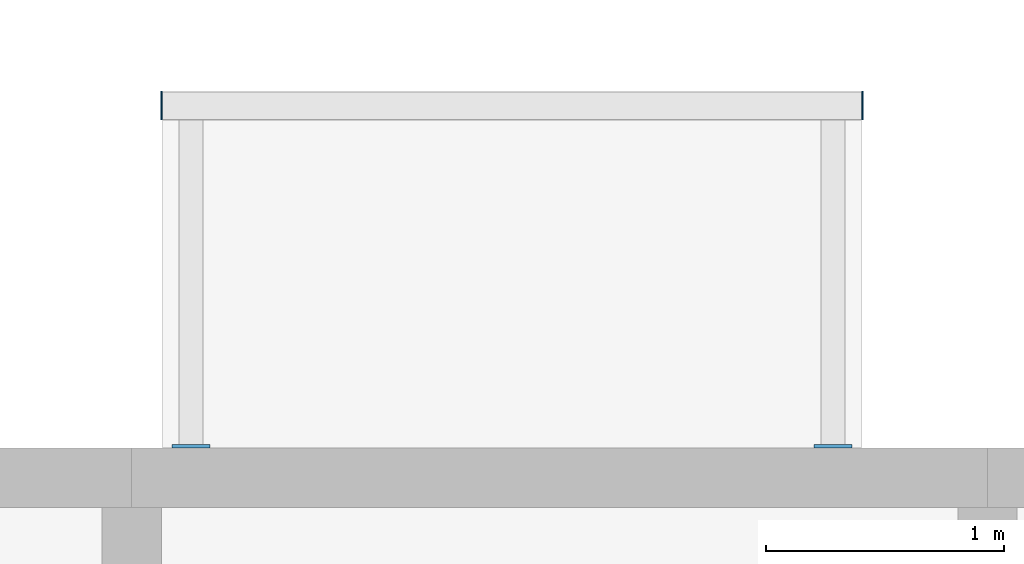
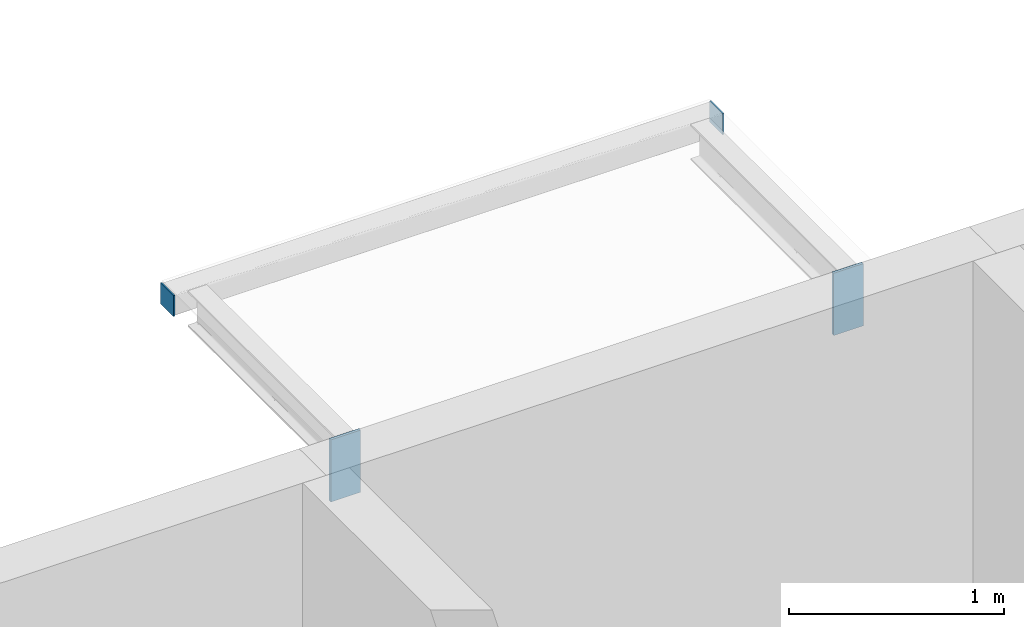
# One storey, part 95 of 122: 4 discrete accessories.
"""IFC4 building model written with IfcOpenShell, lengths in metres."""

import ifcopenshell
import ifcopenshell.guid

model = None  # the IFC model being written
_history = None  # IfcOwnerHistory: only IFC2X3 demands one
_inside = {}  # id of a spatial element -> (the spatial element, [elements in it])
_under = {}  # id of a project, library or spatial element -> (it, [spatial elements below it])
_declared = {}  # id of a project -> (the project, [libraries it declares])
_typed = {}  # id of a type object -> (the type object, [elements of that type])
_made_of = {}  # id of a material, layer set ... -> (it, [elements and type objects made of it])


def new_model(schema):
    """Start an empty IFC model of exactly this schema.

    Asked for "IFC4X3", IfcOpenShell would pick the latest addendum, in which some entities
    have other attributes; the version numbers below select the first issue.
    IFC2X3 requires an IfcOwnerHistory on every rooted entity: one is made here for all.
    """
    global model, _history
    if schema == "IFC4X3":
        model = ifcopenshell.file(schema_version=(4, 3, 0, 0))
    else:
        model = ifcopenshell.file(schema=schema)
    _inside.clear()
    _under.clear()
    _declared.clear()
    _typed.clear()
    _made_of.clear()
    _history = None
    if model.schema == "IFC2X3":
        org = make("IfcOrganization", Name="unknown")
        user = make(
            "IfcPersonAndOrganization",
            ThePerson=make("IfcPerson", FamilyName="unknown"),
            TheOrganization=org,
        )
        app = make(
            "IfcApplication",
            ApplicationDeveloper=org,
            Version="unknown",
            ApplicationFullName="unknown",
            ApplicationIdentifier="unknown",
        )
        _history = make(
            "IfcOwnerHistory",
            OwningUser=user,
            OwningApplication=app,
            ChangeAction="ADDED",
            CreationDate=0,
        )
    return model


def make(cls, **values):
    """One entity of the class cls with the attributes given. An attribute that is None is left unset."""
    return model.create_entity(
        cls, **{name: value for name, value in values.items() if value is not None}
    )


def rooted(cls, **values):
    """An entity with a GlobalId (a new one), such as an element, a storey or a relation."""
    return make(cls, GlobalId=ifcopenshell.guid.new(), OwnerHistory=_history, **values)


def si_unit(unit_type, name, prefix=None):
    """IfcSIUnit, for example si_unit("LENGTHUNIT", "METRE", prefix="MILLI")."""
    return make("IfcSIUnit", UnitType=unit_type, Prefix=prefix, Name=name)


def assignment(units):
    """IfcUnitAssignment: the units of a project."""
    return None if units is None else make("IfcUnitAssignment", Units=units)


def point(xyz):
    """IfcCartesianPoint."""
    return None if xyz is None else make("IfcCartesianPoint", Coordinates=xyz)


def direction(xyz):
    """IfcDirection."""
    return None if xyz is None else make("IfcDirection", DirectionRatios=xyz)


def frame(location, z_axis=None, x_axis=None):
    """IfcAxis2Placement3D, a coordinate frame: its origin and axes. An axis left out is left unset."""
    return make(
        "IfcAxis2Placement3D",
        Location=point(location),
        Axis=direction(z_axis),
        RefDirection=direction(x_axis),
    )


def frame_2d(location, x_axis=None):
    """IfcAxis2Placement2D, a coordinate frame in the plane: its origin and x axis."""
    return make(
        "IfcAxis2Placement2D", Location=point(location), RefDirection=direction(x_axis)
    )


def origin():
    """The frame at (0, 0, 0) with its axes left unset."""
    return frame((0.0, 0.0, 0.0))


def origin_2d():
    """The frame at (0, 0) in the plane with its x axis left unset."""
    return frame_2d((0.0, 0.0))


def place(relative_to, where):
    """IfcLocalPlacement: puts the frame where relative to a parent placement (None: the world)."""
    return make(
        "IfcLocalPlacement", PlacementRelTo=relative_to, RelativePlacement=where
    )


def context(
    kind, dimensions, precision=None, world=None, true_north=None, identifier=None
):
    """IfcGeometricRepresentationContext, for example the 3D "Model" context."""
    return make(
        "IfcGeometricRepresentationContext",
        ContextIdentifier=identifier,
        ContextType=kind,
        CoordinateSpaceDimension=dimensions,
        Precision=precision,
        WorldCoordinateSystem=world,
        TrueNorth=true_north,
    )


def subcontext(parent, identifier, kind, view, scale=None):
    """IfcGeometricRepresentationSubContext, for example "Body" below "Model"."""
    return make(
        "IfcGeometricRepresentationSubContext",
        ContextIdentifier=identifier,
        ContextType=kind,
        ParentContext=parent,
        TargetScale=scale,
        TargetView=view,
    )


def project(units=None, contexts=None):
    """IfcProject with its units and contexts."""
    return rooted(
        "IfcProject",
        Name="project",
        RepresentationContexts=contexts,
        UnitsInContext=assignment(units),
    )


def spatial(cls, under=None, at=None, **own):
    """A site, building, storey or space (cls), placed at a placement, below another one or the project."""
    s = rooted(cls, ObjectPlacement=at, **own)
    if under is not None:
        _under.setdefault(under.id(), (under, []))[1].append(s)
    return s


def profile(cls, at=None, kind="AREA", **sizes):
    """A parametric profile (cls). Its sizes go by their IFC names, for example OverallWidth=200.0."""
    return make(cls, ProfileType=kind, Position=at, **sizes)


def rectangle(**sizes):
    """IfcRectangleProfileDef."""
    return profile("IfcRectangleProfileDef", **sizes)


def extrude(swept, where, along, depth):
    """IfcExtrudedAreaSolid: the profile swept, set in the frame where, extruded along a direction by depth."""
    return make(
        "IfcExtrudedAreaSolid",
        SweptArea=swept,
        Position=where,
        ExtrudedDirection=direction(along),
        Depth=depth,
    )


def shape(context_of_items, identifier, shape_type, items):
    """IfcShapeRepresentation: the items that make up one representation, for example the "Body"."""
    return make(
        "IfcShapeRepresentation",
        ContextOfItems=context_of_items,
        RepresentationIdentifier=identifier,
        RepresentationType=shape_type,
        Items=items,
    )


def material(Name=None, Category=None):
    """IfcMaterial."""
    return make("IfcMaterial", Name=Name, Category=Category)


def layer(
    of_material, thickness, ventilated=None, Name=None, Category=None, Priority=None
):
    """IfcMaterialLayer: one layer of a wall or slab, of a material (None: an air gap)."""
    return make(
        "IfcMaterialLayer",
        Material=of_material,
        LayerThickness=thickness,
        IsVentilated=ventilated,
        Name=Name,
        Category=Category,
        Priority=Priority,
    )


def layer_set(layers, Name=None):
    """IfcMaterialLayerSet."""
    return make("IfcMaterialLayerSet", MaterialLayers=layers, LayerSetName=Name)


def made_of(thing, what):
    """Note that an element or type object is made of a material, layer set ...; save() writes the relation."""
    if what is not None:
        _made_of.setdefault(what.id(), (what, []))[1].append(thing)
    return thing


def type_object(cls, material=None, **own):
    """A type object (cls), such as IfcWallType, which elements share."""
    return made_of(rooted(cls, **own), material)


def element(
    cls,
    number,
    at=None,
    inside=None,
    cuts=None,
    type_object=None,
    material=None,
    context=None,
    identifier="Body",
    shape_type=None,
    held_by="IfcProductDefinitionShape",
    body=None,
    shapes=None,
    **own,
):
    """One element of the class cls, such as IfcWall. Its Tag is "e" and its number.

    at: its placement. inside: the storey or other place that contains it. cuts: it is an
    opening in that element (IfcRelVoidsElement). A single representation is given by context,
    identifier, shape_type and body (its items); several are given by shapes. held_by: the class
    of the entity that holds the representations. save() writes the other relations.
    """
    e = rooted(cls, Tag="e%d" % number, ObjectPlacement=at, **own)
    if body is not None:
        shapes = [shape(context, identifier, shape_type, body)]
    if shapes is not None:
        e.Representation = make(held_by, Representations=shapes)
    if inside is not None:
        _inside.setdefault(inside.id(), (inside, []))[1].append(e)
    if cuts is not None:
        rooted(
            "IfcRelVoidsElement", RelatingBuildingElement=cuts, RelatedOpeningElement=e
        )
    if type_object is not None:
        _typed.setdefault(type_object.id(), (type_object, []))[1].append(e)
    return made_of(e, material)


def aggregate(whole, parts):
    """IfcRelAggregates: a whole, such as a stair, and the parts it consists of."""
    return rooted("IfcRelAggregates", RelatingObject=whole, RelatedObjects=parts)


def save(model, path):
    """Write the relations noted so far, then the file.

    IfcRelAggregates (storeys below a building ...), IfcRelContainedInSpatialStructure (elements
    in a storey), IfcRelDefinesByType, IfcRelAssociatesMaterial and IfcRelDeclares: one each for
    every whole, place, type object, material and project.
    """
    for whole, parts in _under.values():
        aggregate(whole, parts)
    for where, things in _inside.values():
        rooted(
            "IfcRelContainedInSpatialStructure",
            RelatedElements=things,
            RelatingStructure=where,
        )
    for kind, things in _typed.values():
        rooted("IfcRelDefinesByType", RelatedObjects=things, RelatingType=kind)
    for what, things in _made_of.values():
        rooted("IfcRelAssociatesMaterial", RelatedObjects=things, RelatingMaterial=what)
    for by, libraries in _declared.values():
        rooted("IfcRelDeclares", RelatingContext=by, RelatedDefinitions=libraries)
    model.write(path)


model = new_model("IFC4")

# Units and contexts
model_context = context("Model", 3, precision=1e-05, world=origin(), true_north=direction((0.0, 1.0)))
body_context = subcontext(model_context, "Body", "Model", "MODEL_VIEW")
ifc_project = project(units=[si_unit("LENGTHUNIT", "METRE"), si_unit("AREAUNIT", "SQUARE_METRE"), si_unit("VOLUMEUNIT", "CUBIC_METRE"), si_unit("PLANEANGLEUNIT", "RADIAN"), si_unit("MASSUNIT", "GRAM", prefix="KILO")], contexts=[model_context])

# Site, building, storey
site_placement = place(None, origin())
site = spatial("IfcSite", under=ifc_project, at=site_placement, CompositionType="ELEMENT")
building_placement = place(site_placement, origin())
building = spatial("IfcBuilding", under=site, at=building_placement, Name="Ridgestep Commons", CompositionType="ELEMENT")
storey_placement = place(building_placement, frame((0.0, 0.0, 3.0)))
storey = spatial("IfcBuildingStorey", under=building, at=storey_placement, Name="L01", CompositionType="ELEMENT", Elevation=3.0)

# Discrete accessories
ifc_material_1 = material(Name="Weathering steel S355J2W", Category="steel")
ifc_layer_1 = layer(ifc_material_1, 0.014892578125)
ifc_layer_set_1 = layer_set([ifc_layer_1], Name="Tray bracket plate 15")
discrete_accessory_type_1 = type_object("IfcDiscreteAccessoryType", Name="Tray bracket plate 15", PredefinedType="BRACKET", material=ifc_layer_set_1)
for number, where, z_axis, x_axis, name in (
    (1, (150.64990234375, 23.007568359375, 2.63671875), (0.0, 0.0, 1.0), (1.0, 0.0, 0.0), "Tray bracket D1T2-02.1"),
    (2, (153.35009765625, 23.007568359375, 2.63671875), (0.0, 0.0, 1.0), (1.0, 0.0, 0.0), "Tray bracket D1T2-02.2"),
):
    element("IfcDiscreteAccessory", number, at=place(storey_placement, frame(where, z_axis=z_axis, x_axis=x_axis)), inside=storey, type_object=discrete_accessory_type_1, Name=name, PredefinedType="BRACKET", context=body_context, shape_type="SweptSolid", body=[
        extrude(rectangle(XDim=0.159912109375, YDim=0.014892578125, at=origin_2d()), origin(), (0.0, 0.0, 1.0), 0.353271484375),
    ])
ifc_material_2 = material(Name="Weathering steel S355J2W", Category="steel")
ifc_layer_2 = layer(ifc_material_2, 0.008056640625)
ifc_layer_set_2 = layer_set([ifc_layer_2], Name="Tray edge member end plate 120 x 120 x 8")
discrete_accessory_type_2 = type_object("IfcDiscreteAccessoryType", Name="Tray edge member end plate 120 x 120 x 8", PredefinedType="BRACKET", material=ifc_layer_set_2)
for number, where, z_axis, x_axis, name in (
    (3, (150.52587890625, 24.43994140625, 2.869873046875), (0.0, 0.0, 1.0), (1.0, 0.0, 0.0), "Tray edge member end plate D1T2-02 west"),
    (4, (153.47412109375, 24.43994140625, 2.869873046875), (0.0, 0.0, 1.0), (1.0, 0.0, 0.0), "Tray edge member end plate D1T2-02 east"),
):
    element("IfcDiscreteAccessory", number, at=place(storey_placement, frame(where, z_axis=z_axis, x_axis=x_axis)), inside=storey, type_object=discrete_accessory_type_2, Name=name, PredefinedType="BRACKET", context=body_context, shape_type="SweptSolid", body=[
        extrude(rectangle(XDim=0.008056640625, YDim=0.1201171875, at=origin_2d()), origin(), (0.0, 0.0, 1.0), 0.1201171875),
    ])

save(model, "model.ifc")
